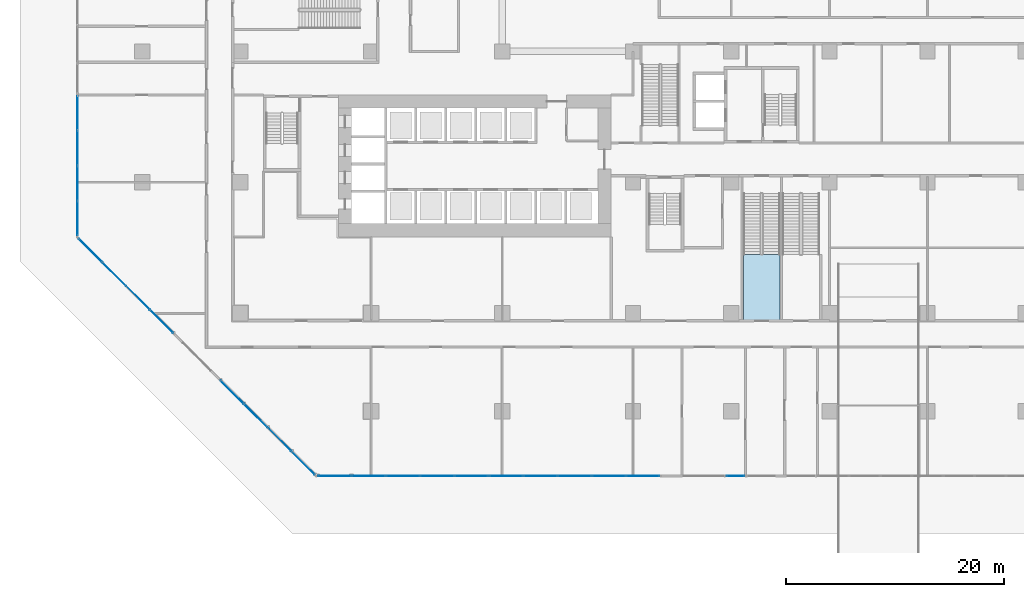
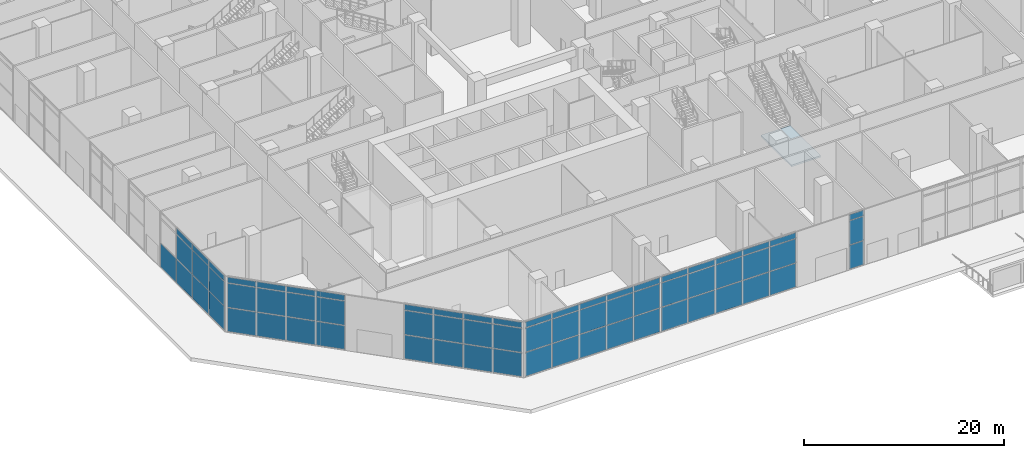
# One storey, part 12 of 34: 67 plates, 1 slab, 7 elements without a shape of their own.
"""IFC4 building model written with IfcOpenShell, lengths in metres."""

from ifc_helpers import new_model, si_unit, direction, frame, origin, origin_2d, place, context, subcontext, project, spatial, polyline, rectangle, outline, extrude, material, layer, layer_set, type_object, element, aggregate, save


model = new_model("IFC4")

# Units and contexts
model_context = context("Model", 3, precision=1e-05, world=origin(), true_north=direction((0.0, 1.0)))
body_context = subcontext(model_context, "Body", "Model", "MODEL_VIEW")
ifc_project = project(units=[si_unit("LENGTHUNIT", "METRE"), si_unit("AREAUNIT", "SQUARE_METRE"), si_unit("VOLUMEUNIT", "CUBIC_METRE"), si_unit("PLANEANGLEUNIT", "RADIAN"), si_unit("MASSUNIT", "GRAM", prefix="KILO")], contexts=[model_context])

# Site, building, storey
site_placement = place(None, origin())
site = spatial("IfcSite", under=ifc_project, at=site_placement, CompositionType="ELEMENT")
building_placement = place(site_placement, origin())
building = spatial("IfcBuilding", under=site, at=building_placement, Name="Chenar Terraces", CompositionType="ELEMENT")
storey_placement = place(building_placement, origin())
storey = spatial("IfcBuildingStorey", under=building, at=storey_placement, Name="L00", CompositionType="ELEMENT", Elevation=0.0)

# Stair, slab
ifc_material_1 = material(Name="Reinforced concrete C40/50", Category="concrete")
stair_type = type_object("IfcStairType", Name="Core stair 1400 half-turn", PredefinedType="HALF_TURN_STAIR", material=ifc_material_1)
placement = place(storey_placement, origin())
stair = element("IfcStair", 1, at=placement, inside=storey, type_object=stair_type, Name="L00 Exit stair PS6", PredefinedType="HALF_TURN_STAIR")
ifc_material_2 = material(Name="Reinforced concrete C40/50", Category="concrete")
ifc_layer_1 = layer(ifc_material_2, 0.199951171875)
ifc_layer_set_1 = layer_set([ifc_layer_1], Name="Reinforced concrete C40/50")
slab_type = type_object("IfcSlabType", Name="Core stair landing 200", PredefinedType="LANDING", material=ifc_layer_set_1)
slab_placement = place(storey_placement, frame((0.0, 0.0, 3.39990234375)))
slab = element("IfcSlab", 2, at=slab_placement, type_object=slab_type, Name="PS6 landing 1", PredefinedType="LANDING", context=body_context, shape_type="SweptSolid", body=[
    extrude(outline(polyline([(46.110107421875, 5.385009765625), (46.110107421875, -0.699951171875), (49.489990234375, -0.699951171875), (49.489990234375, 5.385009765625), (46.110107421875, 5.385009765625)])), origin(), (0.0, 0.0, 1.0), 0.2001953125),
])
aggregate(stair, [slab])

# Curtain wall, plates
ifc_material_3 = material(Name="Aluminium framed glazing", Category="aluminium")
ifc_layer_2 = layer(ifc_material_3, 0.14990234375)
ifc_layer_set_2 = layer_set([ifc_layer_2], Name="Aluminium framed glazing")
curtain_wall_type = type_object("IfcCurtainWallType", Name="Lobby curtain wall", PredefinedType="NOTDEFINED", material=ifc_layer_set_2)
curtain_wall_1 = element("IfcCurtainWall", 3, at=placement, inside=storey, type_object=curtain_wall_type, Name="Lobby curtain wall", PredefinedType="NOTDEFINED")
ifc_material_4 = material(Name="Low emissivity laminated glass, solar control coating", Category="glass")
ifc_layer_3 = layer(ifc_material_4, 0.035888671875)
ifc_layer_set_3 = layer_set([ifc_layer_3], Name="Low emissivity laminated glass, solar control coating")
plate_type = type_object("IfcPlateType", Name="Lobby glazing panel 36", PredefinedType="CURTAIN_PANEL", material=ifc_layer_set_3)
plate_1_placement = place(storey_placement, frame((-14.925048828125, 18.351318359375, 0.080078125), z_axis=(0.0, 0.0, 1.0), x_axis=(0.0, -1.0, 0.0)))
plate_1 = element("IfcPlate", 4, at=plate_1_placement, type_object=plate_type, Name="CW6-04p60 panel 1.1", PredefinedType="CURTAIN_PANEL", context=body_context, shape_type="SweptSolid", body=[
    extrude(rectangle(XDim=3.1123046875, YDim=0.035888671875, at=origin_2d()), origin(), (0.0, 0.0, 1.0), 2.8798828125),
])
plate_2_placement = place(storey_placement, frame((-14.925048828125, 15.138916015625, 0.080078125), z_axis=(0.0, 0.0, 1.0), x_axis=(0.0, -1.0, 0.0)))
plate_2 = element("IfcPlate", 5, at=plate_2_placement, type_object=plate_type, Name="CW6-04p60 panel 2.1", PredefinedType="CURTAIN_PANEL", context=body_context, shape_type="SweptSolid", body=[
    extrude(rectangle(XDim=3.15234375, YDim=0.035888671875, at=origin_2d()), origin(), (0.0, 0.0, 1.0), 2.8798828125),
])
plate_3_placement = place(storey_placement, frame((-14.925048828125, 15.138916015625, 3.0400390625), z_axis=(0.0, 0.0, 1.0), x_axis=(0.0, -1.0, 0.0)))
plate_3 = element("IfcPlate", 6, at=plate_3_placement, type_object=plate_type, Name="CW6-04p60 panel 2.2", PredefinedType="CURTAIN_PANEL", context=body_context, shape_type="SweptSolid", body=[
    extrude(rectangle(XDim=3.15234375, YDim=0.035888671875, at=origin_2d()), origin(), (0.0, 0.0, 1.0), 2.919921875),
])
plate_4_placement = place(storey_placement, frame((-14.925048828125, 15.138916015625, 6.0400390625), z_axis=(0.0, 0.0, 1.0), x_axis=(0.0, -1.0, 0.0)))
plate_4 = element("IfcPlate", 7, at=plate_4_placement, type_object=plate_type, Name="CW6-04p60 panel 2.3", PredefinedType="CURTAIN_PANEL", context=body_context, shape_type="SweptSolid", body=[
    extrude(rectangle(XDim=3.15234375, YDim=0.035888671875, at=origin_2d()), origin(), (0.0, 0.0, 1.0), 0.679931640625),
])
plate_5_placement = place(storey_placement, frame((-14.925048828125, 11.90673828125, 0.080078125), z_axis=(0.0, 0.0, 1.0), x_axis=(0.0, -1.0, 0.0)))
plate_5 = element("IfcPlate", 8, at=plate_5_placement, type_object=plate_type, Name="CW6-04p60 panel 3.1", PredefinedType="CURTAIN_PANEL", context=body_context, shape_type="SweptSolid", body=[
    extrude(rectangle(XDim=3.15234375, YDim=0.035888671875, at=origin_2d()), origin(), (0.0, 0.0, 1.0), 2.8798828125),
])
plate_6_placement = place(storey_placement, frame((-14.925048828125, 11.90673828125, 3.0400390625), z_axis=(0.0, 0.0, 1.0), x_axis=(0.0, -1.0, 0.0)))
plate_6 = element("IfcPlate", 9, at=plate_6_placement, type_object=plate_type, Name="CW6-04p60 panel 3.2", PredefinedType="CURTAIN_PANEL", context=body_context, shape_type="SweptSolid", body=[
    extrude(rectangle(XDim=3.15234375, YDim=0.035888671875, at=origin_2d()), origin(), (0.0, 0.0, 1.0), 2.919921875),
])
plate_7_placement = place(storey_placement, frame((-14.925048828125, 11.90673828125, 6.0400390625), z_axis=(0.0, 0.0, 1.0), x_axis=(0.0, -1.0, 0.0)))
plate_7 = element("IfcPlate", 10, at=plate_7_placement, type_object=plate_type, Name="CW6-04p60 panel 3.3", PredefinedType="CURTAIN_PANEL", context=body_context, shape_type="SweptSolid", body=[
    extrude(rectangle(XDim=3.15234375, YDim=0.035888671875, at=origin_2d()), origin(), (0.0, 0.0, 1.0), 0.679931640625),
])
plate_8_placement = place(storey_placement, frame((-14.925048828125, 8.6943359375, 0.080078125), z_axis=(0.0, 0.0, 1.0), x_axis=(0.0, -1.0, 0.0)))
plate_8 = element("IfcPlate", 11, at=plate_8_placement, type_object=plate_type, Name="CW6-04p60 panel 4.1", PredefinedType="CURTAIN_PANEL", context=body_context, shape_type="SweptSolid", body=[
    extrude(rectangle(XDim=3.1123046875, YDim=0.035888671875, at=origin_2d()), origin(), (0.0, 0.0, 1.0), 2.8798828125),
])
plate_9_placement = place(storey_placement, frame((-14.925048828125, 8.6943359375, 3.0400390625), z_axis=(0.0, 0.0, 1.0), x_axis=(0.0, -1.0, 0.0)))
plate_9 = element("IfcPlate", 12, at=plate_9_placement, type_object=plate_type, Name="CW6-04p60 panel 4.2", PredefinedType="CURTAIN_PANEL", context=body_context, shape_type="SweptSolid", body=[
    extrude(rectangle(XDim=3.1123046875, YDim=0.035888671875, at=origin_2d()), origin(), (0.0, 0.0, 1.0), 2.919921875),
])
plate_10_placement = place(storey_placement, frame((-14.925048828125, 8.6943359375, 6.0400390625), z_axis=(0.0, 0.0, 1.0), x_axis=(0.0, -1.0, 0.0)))
plate_10 = element("IfcPlate", 13, at=plate_10_placement, type_object=plate_type, Name="CW6-04p60 panel 4.3", PredefinedType="CURTAIN_PANEL", context=body_context, shape_type="SweptSolid", body=[
    extrude(rectangle(XDim=3.1123046875, YDim=0.035888671875, at=origin_2d()), origin(), (0.0, 0.0, 1.0), 0.679931640625),
])
aggregate(curtain_wall_1, [plate_1, plate_2, plate_3, plate_4, plate_5, plate_6, plate_7, plate_8, plate_9, plate_10])

curtain_wall_2 = element("IfcCurtainWall", 14, at=placement, inside=storey, type_object=curtain_wall_type, Name="Lobby curtain wall", PredefinedType="NOTDEFINED")
plate_11_placement = place(storey_placement, frame((-13.737060546875, 5.751220703125, 0.080078125), z_axis=(0.0, 0.0, 1.0), x_axis=(0.707106781187, -0.707106781187, 0.0)))
plate_11 = element("IfcPlate", 15, at=plate_11_placement, type_object=plate_type, Name="CW6-05a0 panel 1.1", PredefinedType="CURTAIN_PANEL", context=body_context, shape_type="SweptSolid", body=[
    extrude(rectangle(XDim=2.962158203125, YDim=0.035888671875, at=origin_2d()), origin(), (0.0, 0.0, 1.0), 2.8798828125),
])
plate_12_placement = place(storey_placement, frame((-13.737060546875, 5.751220703125, 3.0400390625), z_axis=(0.0, 0.0, 1.0), x_axis=(0.707106781187, -0.707106781187, 0.0)))
plate_12 = element("IfcPlate", 16, at=plate_12_placement, type_object=plate_type, Name="CW6-05a0 panel 1.2", PredefinedType="CURTAIN_PANEL", context=body_context, shape_type="SweptSolid", body=[
    extrude(rectangle(XDim=2.962158203125, YDim=0.035888671875, at=origin_2d()), origin(), (0.0, 0.0, 1.0), 2.919921875),
])
plate_13_placement = place(storey_placement, frame((-13.737060546875, 5.751220703125, 6.0400390625), z_axis=(0.0, 0.0, 1.0), x_axis=(0.707106781187, -0.707106781187, 0.0)))
plate_13 = element("IfcPlate", 17, at=plate_13_placement, type_object=plate_type, Name="CW6-05a0 panel 1.3", PredefinedType="CURTAIN_PANEL", context=body_context, shape_type="SweptSolid", body=[
    extrude(rectangle(XDim=2.962158203125, YDim=0.035888671875, at=origin_2d()), origin(), (0.0, 0.0, 1.0), 0.679931640625),
])
plate_14_placement = place(storey_placement, frame((-11.57177734375, 3.5859375, 0.080078125), z_axis=(0.0, 0.0, 1.0), x_axis=(0.707106781187, -0.707106781187, 0.0)))
plate_14 = element("IfcPlate", 18, at=plate_14_placement, type_object=plate_type, Name="CW6-05a0 panel 2.1", PredefinedType="CURTAIN_PANEL", context=body_context, shape_type="SweptSolid", body=[
    extrude(rectangle(XDim=3.002197265625, YDim=0.035888671875, at=origin_2d()), origin(), (0.0, 0.0, 1.0), 2.8798828125),
])
plate_15_placement = place(storey_placement, frame((-11.57177734375, 3.5859375, 3.0400390625), z_axis=(0.0, 0.0, 1.0), x_axis=(0.707106781187, -0.707106781187, 0.0)))
plate_15 = element("IfcPlate", 19, at=plate_15_placement, type_object=plate_type, Name="CW6-05a0 panel 2.2", PredefinedType="CURTAIN_PANEL", context=body_context, shape_type="SweptSolid", body=[
    extrude(rectangle(XDim=3.002197265625, YDim=0.035888671875, at=origin_2d()), origin(), (0.0, 0.0, 1.0), 2.919921875),
])
plate_16_placement = place(storey_placement, frame((-11.57177734375, 3.5859375, 6.0400390625), z_axis=(0.0, 0.0, 1.0), x_axis=(0.707106781187, -0.707106781187, 0.0)))
plate_16 = element("IfcPlate", 20, at=plate_16_placement, type_object=plate_type, Name="CW6-05a0 panel 2.3", PredefinedType="CURTAIN_PANEL", context=body_context, shape_type="SweptSolid", body=[
    extrude(rectangle(XDim=3.002197265625, YDim=0.035888671875, at=origin_2d()), origin(), (0.0, 0.0, 1.0), 0.679931640625),
])
plate_17_placement = place(storey_placement, frame((-9.392333984375, 1.406494140625, 0.080078125), z_axis=(0.0, 0.0, 1.0), x_axis=(0.707106781187, -0.707106781187, 0.0)))
plate_17 = element("IfcPlate", 21, at=plate_17_placement, type_object=plate_type, Name="CW6-05a0 panel 3.1", PredefinedType="CURTAIN_PANEL", context=body_context, shape_type="SweptSolid", body=[
    extrude(rectangle(XDim=3.002197265625, YDim=0.035888671875, at=origin_2d()), origin(), (0.0, 0.0, 1.0), 2.8798828125),
])
plate_18_placement = place(storey_placement, frame((-9.392333984375, 1.406494140625, 3.0400390625), z_axis=(0.0, 0.0, 1.0), x_axis=(0.707106781187, -0.707106781187, 0.0)))
plate_18 = element("IfcPlate", 22, at=plate_18_placement, type_object=plate_type, Name="CW6-05a0 panel 3.2", PredefinedType="CURTAIN_PANEL", context=body_context, shape_type="SweptSolid", body=[
    extrude(rectangle(XDim=3.002197265625, YDim=0.035888671875, at=origin_2d()), origin(), (0.0, 0.0, 1.0), 2.919921875),
])
plate_19_placement = place(storey_placement, frame((-9.392333984375, 1.406494140625, 6.0400390625), z_axis=(0.0, 0.0, 1.0), x_axis=(0.707106781187, -0.707106781187, 0.0)))
plate_19 = element("IfcPlate", 23, at=plate_19_placement, type_object=plate_type, Name="CW6-05a0 panel 3.3", PredefinedType="CURTAIN_PANEL", context=body_context, shape_type="SweptSolid", body=[
    extrude(rectangle(XDim=3.002197265625, YDim=0.035888671875, at=origin_2d()), origin(), (0.0, 0.0, 1.0), 0.679931640625),
])
plate_20_placement = place(storey_placement, frame((-7.22705078125, -0.7587890625, 0.080078125), z_axis=(0.0, 0.0, 1.0), x_axis=(0.707106781187, -0.707106781187, 0.0)))
plate_20 = element("IfcPlate", 24, at=plate_20_placement, type_object=plate_type, Name="CW6-05a0 panel 4.1", PredefinedType="CURTAIN_PANEL", context=body_context, shape_type="SweptSolid", body=[
    extrude(rectangle(XDim=2.962158203125, YDim=0.035888671875, at=origin_2d()), origin(), (0.0, 0.0, 1.0), 2.8798828125),
])
plate_21_placement = place(storey_placement, frame((-7.22705078125, -0.7587890625, 3.0400390625), z_axis=(0.0, 0.0, 1.0), x_axis=(0.707106781187, -0.707106781187, 0.0)))
plate_21 = element("IfcPlate", 25, at=plate_21_placement, type_object=plate_type, Name="CW6-05a0 panel 4.2", PredefinedType="CURTAIN_PANEL", context=body_context, shape_type="SweptSolid", body=[
    extrude(rectangle(XDim=2.962158203125, YDim=0.035888671875, at=origin_2d()), origin(), (0.0, 0.0, 1.0), 2.919921875),
])
plate_22_placement = place(storey_placement, frame((-7.22705078125, -0.7587890625, 6.0400390625), z_axis=(0.0, 0.0, 1.0), x_axis=(0.707106781187, -0.707106781187, 0.0)))
plate_22 = element("IfcPlate", 26, at=plate_22_placement, type_object=plate_type, Name="CW6-05a0 panel 4.3", PredefinedType="CURTAIN_PANEL", context=body_context, shape_type="SweptSolid", body=[
    extrude(rectangle(XDim=2.962158203125, YDim=0.035888671875, at=origin_2d()), origin(), (0.0, 0.0, 1.0), 0.679931640625),
])
aggregate(curtain_wall_2, [plate_11, plate_12, plate_13, plate_14, plate_15, plate_16, plate_17, plate_18, plate_19, plate_20, plate_21, plate_22])

curtain_wall_3 = element("IfcCurtainWall", 27, at=placement, inside=storey, type_object=curtain_wall_type, Name="Lobby curtain wall", PredefinedType="NOTDEFINED")
plate_23_placement = place(storey_placement, frame((-0.7587890625, -7.22705078125, 0.080078125), z_axis=(0.0, 0.0, 1.0), x_axis=(0.707106781187, -0.707106781187, 0.0)))
plate_23 = element("IfcPlate", 28, at=plate_23_placement, type_object=plate_type, Name="CW6-05b0 panel 1.1", PredefinedType="CURTAIN_PANEL", context=body_context, shape_type="SweptSolid", body=[
    extrude(rectangle(XDim=2.962158203125, YDim=0.035888671875, at=origin_2d()), origin(), (0.0, 0.0, 1.0), 2.8798828125),
])
plate_24_placement = place(storey_placement, frame((-0.7587890625, -7.22705078125, 3.0400390625), z_axis=(0.0, 0.0, 1.0), x_axis=(0.707106781187, -0.707106781187, 0.0)))
plate_24 = element("IfcPlate", 29, at=plate_24_placement, type_object=plate_type, Name="CW6-05b0 panel 1.2", PredefinedType="CURTAIN_PANEL", context=body_context, shape_type="SweptSolid", body=[
    extrude(rectangle(XDim=2.962158203125, YDim=0.035888671875, at=origin_2d()), origin(), (0.0, 0.0, 1.0), 2.919921875),
])
plate_25_placement = place(storey_placement, frame((-0.7587890625, -7.22705078125, 6.0400390625), z_axis=(0.0, 0.0, 1.0), x_axis=(0.707106781187, -0.707106781187, 0.0)))
plate_25 = element("IfcPlate", 30, at=plate_25_placement, type_object=plate_type, Name="CW6-05b0 panel 1.3", PredefinedType="CURTAIN_PANEL", context=body_context, shape_type="SweptSolid", body=[
    extrude(rectangle(XDim=2.962158203125, YDim=0.035888671875, at=origin_2d()), origin(), (0.0, 0.0, 1.0), 0.679931640625),
])
plate_26_placement = place(storey_placement, frame((1.406494140625, -9.392333984375, 0.080078125), z_axis=(0.0, 0.0, 1.0), x_axis=(0.707106781187, -0.707106781187, 0.0)))
plate_26 = element("IfcPlate", 31, at=plate_26_placement, type_object=plate_type, Name="CW6-05b0 panel 2.1", PredefinedType="CURTAIN_PANEL", context=body_context, shape_type="SweptSolid", body=[
    extrude(rectangle(XDim=3.002197265625, YDim=0.035888671875, at=origin_2d()), origin(), (0.0, 0.0, 1.0), 2.8798828125),
])
plate_27_placement = place(storey_placement, frame((1.406494140625, -9.392333984375, 3.0400390625), z_axis=(0.0, 0.0, 1.0), x_axis=(0.707106781187, -0.707106781187, 0.0)))
plate_27 = element("IfcPlate", 32, at=plate_27_placement, type_object=plate_type, Name="CW6-05b0 panel 2.2", PredefinedType="CURTAIN_PANEL", context=body_context, shape_type="SweptSolid", body=[
    extrude(rectangle(XDim=3.002197265625, YDim=0.035888671875, at=origin_2d()), origin(), (0.0, 0.0, 1.0), 2.919921875),
])
plate_28_placement = place(storey_placement, frame((1.406494140625, -9.392333984375, 6.0400390625), z_axis=(0.0, 0.0, 1.0), x_axis=(0.707106781187, -0.707106781187, 0.0)))
plate_28 = element("IfcPlate", 33, at=plate_28_placement, type_object=plate_type, Name="CW6-05b0 panel 2.3", PredefinedType="CURTAIN_PANEL", context=body_context, shape_type="SweptSolid", body=[
    extrude(rectangle(XDim=3.002197265625, YDim=0.035888671875, at=origin_2d()), origin(), (0.0, 0.0, 1.0), 0.679931640625),
])
plate_29_placement = place(storey_placement, frame((3.5859375, -11.57177734375, 0.080078125), z_axis=(0.0, 0.0, 1.0), x_axis=(0.707106781187, -0.707106781187, 0.0)))
plate_29 = element("IfcPlate", 34, at=plate_29_placement, type_object=plate_type, Name="CW6-05b0 panel 3.1", PredefinedType="CURTAIN_PANEL", context=body_context, shape_type="SweptSolid", body=[
    extrude(rectangle(XDim=3.002197265625, YDim=0.035888671875, at=origin_2d()), origin(), (0.0, 0.0, 1.0), 2.8798828125),
])
plate_30_placement = place(storey_placement, frame((3.5859375, -11.57177734375, 3.0400390625), z_axis=(0.0, 0.0, 1.0), x_axis=(0.707106781187, -0.707106781187, 0.0)))
plate_30 = element("IfcPlate", 35, at=plate_30_placement, type_object=plate_type, Name="CW6-05b0 panel 3.2", PredefinedType="CURTAIN_PANEL", context=body_context, shape_type="SweptSolid", body=[
    extrude(rectangle(XDim=3.002197265625, YDim=0.035888671875, at=origin_2d()), origin(), (0.0, 0.0, 1.0), 2.919921875),
])
plate_31_placement = place(storey_placement, frame((3.5859375, -11.57177734375, 6.0400390625), z_axis=(0.0, 0.0, 1.0), x_axis=(0.707106781187, -0.707106781187, 0.0)))
plate_31 = element("IfcPlate", 36, at=plate_31_placement, type_object=plate_type, Name="CW6-05b0 panel 3.3", PredefinedType="CURTAIN_PANEL", context=body_context, shape_type="SweptSolid", body=[
    extrude(rectangle(XDim=3.002197265625, YDim=0.035888671875, at=origin_2d()), origin(), (0.0, 0.0, 1.0), 0.679931640625),
])
plate_32_placement = place(storey_placement, frame((5.751220703125, -13.737060546875, 0.080078125), z_axis=(0.0, 0.0, 1.0), x_axis=(0.707106781187, -0.707106781187, 0.0)))
plate_32 = element("IfcPlate", 37, at=plate_32_placement, type_object=plate_type, Name="CW6-05b0 panel 4.1", PredefinedType="CURTAIN_PANEL", context=body_context, shape_type="SweptSolid", body=[
    extrude(rectangle(XDim=2.962158203125, YDim=0.035888671875, at=origin_2d()), origin(), (0.0, 0.0, 1.0), 2.8798828125),
])
plate_33_placement = place(storey_placement, frame((5.751220703125, -13.737060546875, 3.0400390625), z_axis=(0.0, 0.0, 1.0), x_axis=(0.707106781187, -0.707106781187, 0.0)))
plate_33 = element("IfcPlate", 38, at=plate_33_placement, type_object=plate_type, Name="CW6-05b0 panel 4.2", PredefinedType="CURTAIN_PANEL", context=body_context, shape_type="SweptSolid", body=[
    extrude(rectangle(XDim=2.962158203125, YDim=0.035888671875, at=origin_2d()), origin(), (0.0, 0.0, 1.0), 2.919921875),
])
plate_34_placement = place(storey_placement, frame((5.751220703125, -13.737060546875, 6.0400390625), z_axis=(0.0, 0.0, 1.0), x_axis=(0.707106781187, -0.707106781187, 0.0)))
plate_34 = element("IfcPlate", 39, at=plate_34_placement, type_object=plate_type, Name="CW6-05b0 panel 4.3", PredefinedType="CURTAIN_PANEL", context=body_context, shape_type="SweptSolid", body=[
    extrude(rectangle(XDim=2.962158203125, YDim=0.035888671875, at=origin_2d()), origin(), (0.0, 0.0, 1.0), 0.679931640625),
])
aggregate(curtain_wall_3, [plate_23, plate_24, plate_25, plate_26, plate_27, plate_28, plate_29, plate_30, plate_31, plate_32, plate_33, plate_34])

curtain_wall_4 = element("IfcCurtainWall", 40, at=placement, inside=storey, type_object=curtain_wall_type, Name="Lobby curtain wall", PredefinedType="NOTDEFINED")
plate_35_placement = place(storey_placement, frame((8.6484375, -14.925048828125, 0.080078125), z_axis=(0.0, 0.0, 1.0), x_axis=(1.0, 0.0, 0.0)))
plate_35 = element("IfcPlate", 41, at=plate_35_placement, type_object=plate_type, Name="CW6-06p10 panel 1.1", PredefinedType="CURTAIN_PANEL", context=body_context, shape_type="SweptSolid", body=[
    extrude(rectangle(XDim=3.0205078125, YDim=0.035888671875, at=origin_2d()), origin(), (0.0, 0.0, 1.0), 2.8798828125),
])
plate_36_placement = place(storey_placement, frame((8.6484375, -14.925048828125, 3.0400390625), z_axis=(0.0, 0.0, 1.0), x_axis=(1.0, 0.0, 0.0)))
plate_36 = element("IfcPlate", 42, at=plate_36_placement, type_object=plate_type, Name="CW6-06p10 panel 1.2", PredefinedType="CURTAIN_PANEL", context=body_context, shape_type="SweptSolid", body=[
    extrude(rectangle(XDim=3.0205078125, YDim=0.035888671875, at=origin_2d()), origin(), (0.0, 0.0, 1.0), 2.919921875),
])
plate_37_placement = place(storey_placement, frame((8.6484375, -14.925048828125, 6.0400390625), z_axis=(0.0, 0.0, 1.0), x_axis=(1.0, 0.0, 0.0)))
plate_37 = element("IfcPlate", 43, at=plate_37_placement, type_object=plate_type, Name="CW6-06p10 panel 1.3", PredefinedType="CURTAIN_PANEL", context=body_context, shape_type="SweptSolid", body=[
    extrude(rectangle(XDim=3.0205078125, YDim=0.035888671875, at=origin_2d()), origin(), (0.0, 0.0, 1.0), 0.679931640625),
])
plate_38_placement = place(storey_placement, frame((11.768798828125, -14.925048828125, 0.080078125), z_axis=(0.0, 0.0, 1.0), x_axis=(1.0, 0.0, 0.0)))
plate_38 = element("IfcPlate", 44, at=plate_38_placement, type_object=plate_type, Name="CW6-06p10 panel 2.1", PredefinedType="CURTAIN_PANEL", context=body_context, shape_type="SweptSolid", body=[
    extrude(rectangle(XDim=3.060546875, YDim=0.035888671875, at=origin_2d()), origin(), (0.0, 0.0, 1.0), 2.8798828125),
])
plate_39_placement = place(storey_placement, frame((11.768798828125, -14.925048828125, 3.0400390625), z_axis=(0.0, 0.0, 1.0), x_axis=(1.0, 0.0, 0.0)))
plate_39 = element("IfcPlate", 45, at=plate_39_placement, type_object=plate_type, Name="CW6-06p10 panel 2.2", PredefinedType="CURTAIN_PANEL", context=body_context, shape_type="SweptSolid", body=[
    extrude(rectangle(XDim=3.060546875, YDim=0.035888671875, at=origin_2d()), origin(), (0.0, 0.0, 1.0), 2.919921875),
])
plate_40_placement = place(storey_placement, frame((11.768798828125, -14.925048828125, 6.0400390625), z_axis=(0.0, 0.0, 1.0), x_axis=(1.0, 0.0, 0.0)))
plate_40 = element("IfcPlate", 46, at=plate_40_placement, type_object=plate_type, Name="CW6-06p10 panel 2.3", PredefinedType="CURTAIN_PANEL", context=body_context, shape_type="SweptSolid", body=[
    extrude(rectangle(XDim=3.060546875, YDim=0.035888671875, at=origin_2d()), origin(), (0.0, 0.0, 1.0), 0.679931640625),
])
plate_41_placement = place(storey_placement, frame((14.9091796875, -14.925048828125, 0.080078125), z_axis=(0.0, 0.0, 1.0), x_axis=(1.0, 0.0, 0.0)))
plate_41 = element("IfcPlate", 47, at=plate_41_placement, type_object=plate_type, Name="CW6-06p10 panel 3.1", PredefinedType="CURTAIN_PANEL", context=body_context, shape_type="SweptSolid", body=[
    extrude(rectangle(XDim=3.060546875, YDim=0.035888671875, at=origin_2d()), origin(), (0.0, 0.0, 1.0), 2.8798828125),
])
plate_42_placement = place(storey_placement, frame((14.9091796875, -14.925048828125, 3.0400390625), z_axis=(0.0, 0.0, 1.0), x_axis=(1.0, 0.0, 0.0)))
plate_42 = element("IfcPlate", 48, at=plate_42_placement, type_object=plate_type, Name="CW6-06p10 panel 3.2", PredefinedType="CURTAIN_PANEL", context=body_context, shape_type="SweptSolid", body=[
    extrude(rectangle(XDim=3.060546875, YDim=0.035888671875, at=origin_2d()), origin(), (0.0, 0.0, 1.0), 2.919921875),
])
plate_43_placement = place(storey_placement, frame((14.9091796875, -14.925048828125, 6.0400390625), z_axis=(0.0, 0.0, 1.0), x_axis=(1.0, 0.0, 0.0)))
plate_43 = element("IfcPlate", 49, at=plate_43_placement, type_object=plate_type, Name="CW6-06p10 panel 3.3", PredefinedType="CURTAIN_PANEL", context=body_context, shape_type="SweptSolid", body=[
    extrude(rectangle(XDim=3.060546875, YDim=0.035888671875, at=origin_2d()), origin(), (0.0, 0.0, 1.0), 0.679931640625),
])
plate_44_placement = place(storey_placement, frame((18.049560546875, -14.925048828125, 0.080078125), z_axis=(0.0, 0.0, 1.0), x_axis=(1.0, 0.0, 0.0)))
plate_44 = element("IfcPlate", 50, at=plate_44_placement, type_object=plate_type, Name="CW6-06p10 panel 4.1", PredefinedType="CURTAIN_PANEL", context=body_context, shape_type="SweptSolid", body=[
    extrude(rectangle(XDim=3.060546875, YDim=0.035888671875, at=origin_2d()), origin(), (0.0, 0.0, 1.0), 2.8798828125),
])
plate_45_placement = place(storey_placement, frame((18.049560546875, -14.925048828125, 3.0400390625), z_axis=(0.0, 0.0, 1.0), x_axis=(1.0, 0.0, 0.0)))
plate_45 = element("IfcPlate", 51, at=plate_45_placement, type_object=plate_type, Name="CW6-06p10 panel 4.2", PredefinedType="CURTAIN_PANEL", context=body_context, shape_type="SweptSolid", body=[
    extrude(rectangle(XDim=3.060546875, YDim=0.035888671875, at=origin_2d()), origin(), (0.0, 0.0, 1.0), 2.919921875),
])
plate_46_placement = place(storey_placement, frame((18.049560546875, -14.925048828125, 6.0400390625), z_axis=(0.0, 0.0, 1.0), x_axis=(1.0, 0.0, 0.0)))
plate_46 = element("IfcPlate", 52, at=plate_46_placement, type_object=plate_type, Name="CW6-06p10 panel 4.3", PredefinedType="CURTAIN_PANEL", context=body_context, shape_type="SweptSolid", body=[
    extrude(rectangle(XDim=3.060546875, YDim=0.035888671875, at=origin_2d()), origin(), (0.0, 0.0, 1.0), 0.679931640625),
])
plate_47_placement = place(storey_placement, frame((21.170166015625, -14.925048828125, 0.080078125), z_axis=(0.0, 0.0, 1.0), x_axis=(1.0, 0.0, 0.0)))
plate_47 = element("IfcPlate", 53, at=plate_47_placement, type_object=plate_type, Name="CW6-06p10 panel 5.1", PredefinedType="CURTAIN_PANEL", context=body_context, shape_type="SweptSolid", body=[
    extrude(rectangle(XDim=3.0205078125, YDim=0.035888671875, at=origin_2d()), origin(), (0.0, 0.0, 1.0), 2.8798828125),
])
plate_48_placement = place(storey_placement, frame((21.170166015625, -14.925048828125, 3.0400390625), z_axis=(0.0, 0.0, 1.0), x_axis=(1.0, 0.0, 0.0)))
plate_48 = element("IfcPlate", 54, at=plate_48_placement, type_object=plate_type, Name="CW6-06p10 panel 5.2", PredefinedType="CURTAIN_PANEL", context=body_context, shape_type="SweptSolid", body=[
    extrude(rectangle(XDim=3.0205078125, YDim=0.035888671875, at=origin_2d()), origin(), (0.0, 0.0, 1.0), 2.919921875),
])
plate_49_placement = place(storey_placement, frame((21.170166015625, -14.925048828125, 6.0400390625), z_axis=(0.0, 0.0, 1.0), x_axis=(1.0, 0.0, 0.0)))
plate_49 = element("IfcPlate", 55, at=plate_49_placement, type_object=plate_type, Name="CW6-06p10 panel 5.3", PredefinedType="CURTAIN_PANEL", context=body_context, shape_type="SweptSolid", body=[
    extrude(rectangle(XDim=3.0205078125, YDim=0.035888671875, at=origin_2d()), origin(), (0.0, 0.0, 1.0), 0.679931640625),
])
aggregate(curtain_wall_4, [plate_35, plate_36, plate_37, plate_38, plate_39, plate_40, plate_41, plate_42, plate_43, plate_44, plate_45, plate_46, plate_47, plate_48, plate_49])

curtain_wall_5 = element("IfcCurtainWall", 56, at=placement, inside=storey, type_object=curtain_wall_type, Name="Lobby curtain wall", PredefinedType="NOTDEFINED")
plate_50_placement = place(storey_placement, frame((24.37548828125, -14.925048828125, 0.080078125), z_axis=(0.0, 0.0, 1.0), x_axis=(1.0, 0.0, 0.0)))
plate_50 = element("IfcPlate", 57, at=plate_50_placement, type_object=plate_type, Name="CW6-06p11 panel 1.1", PredefinedType="CURTAIN_PANEL", context=body_context, shape_type="SweptSolid", body=[
    extrude(rectangle(XDim=3.0205078125, YDim=0.035888671875, at=origin_2d()), origin(), (0.0, 0.0, 1.0), 2.8798828125),
])
plate_51_placement = place(storey_placement, frame((24.37548828125, -14.925048828125, 3.0400390625), z_axis=(0.0, 0.0, 1.0), x_axis=(1.0, 0.0, 0.0)))
plate_51 = element("IfcPlate", 58, at=plate_51_placement, type_object=plate_type, Name="CW6-06p11 panel 1.2", PredefinedType="CURTAIN_PANEL", context=body_context, shape_type="SweptSolid", body=[
    extrude(rectangle(XDim=3.0205078125, YDim=0.035888671875, at=origin_2d()), origin(), (0.0, 0.0, 1.0), 2.919921875),
])
plate_52_placement = place(storey_placement, frame((24.37548828125, -14.925048828125, 6.0400390625), z_axis=(0.0, 0.0, 1.0), x_axis=(1.0, 0.0, 0.0)))
plate_52 = element("IfcPlate", 59, at=plate_52_placement, type_object=plate_type, Name="CW6-06p11 panel 1.3", PredefinedType="CURTAIN_PANEL", context=body_context, shape_type="SweptSolid", body=[
    extrude(rectangle(XDim=3.0205078125, YDim=0.035888671875, at=origin_2d()), origin(), (0.0, 0.0, 1.0), 0.679931640625),
])
plate_53_placement = place(storey_placement, frame((27.495849609375, -14.925048828125, 0.080078125), z_axis=(0.0, 0.0, 1.0), x_axis=(1.0, 0.0, 0.0)))
plate_53 = element("IfcPlate", 60, at=plate_53_placement, type_object=plate_type, Name="CW6-06p11 panel 2.1", PredefinedType="CURTAIN_PANEL", context=body_context, shape_type="SweptSolid", body=[
    extrude(rectangle(XDim=3.060546875, YDim=0.035888671875, at=origin_2d()), origin(), (0.0, 0.0, 1.0), 2.8798828125),
])
plate_54_placement = place(storey_placement, frame((27.495849609375, -14.925048828125, 3.0400390625), z_axis=(0.0, 0.0, 1.0), x_axis=(1.0, 0.0, 0.0)))
plate_54 = element("IfcPlate", 61, at=plate_54_placement, type_object=plate_type, Name="CW6-06p11 panel 2.2", PredefinedType="CURTAIN_PANEL", context=body_context, shape_type="SweptSolid", body=[
    extrude(rectangle(XDim=3.060546875, YDim=0.035888671875, at=origin_2d()), origin(), (0.0, 0.0, 1.0), 2.919921875),
])
plate_55_placement = place(storey_placement, frame((27.495849609375, -14.925048828125, 6.0400390625), z_axis=(0.0, 0.0, 1.0), x_axis=(1.0, 0.0, 0.0)))
plate_55 = element("IfcPlate", 62, at=plate_55_placement, type_object=plate_type, Name="CW6-06p11 panel 2.3", PredefinedType="CURTAIN_PANEL", context=body_context, shape_type="SweptSolid", body=[
    extrude(rectangle(XDim=3.060546875, YDim=0.035888671875, at=origin_2d()), origin(), (0.0, 0.0, 1.0), 0.679931640625),
])
plate_56_placement = place(storey_placement, frame((30.636474609375, -14.925048828125, 0.080078125), z_axis=(0.0, 0.0, 1.0), x_axis=(1.0, 0.0, 0.0)))
plate_56 = element("IfcPlate", 63, at=plate_56_placement, type_object=plate_type, Name="CW6-06p11 panel 3.1", PredefinedType="CURTAIN_PANEL", context=body_context, shape_type="SweptSolid", body=[
    extrude(rectangle(XDim=3.060546875, YDim=0.035888671875, at=origin_2d()), origin(), (0.0, 0.0, 1.0), 2.8798828125),
])
plate_57_placement = place(storey_placement, frame((30.636474609375, -14.925048828125, 3.0400390625), z_axis=(0.0, 0.0, 1.0), x_axis=(1.0, 0.0, 0.0)))
plate_57 = element("IfcPlate", 64, at=plate_57_placement, type_object=plate_type, Name="CW6-06p11 panel 3.2", PredefinedType="CURTAIN_PANEL", context=body_context, shape_type="SweptSolid", body=[
    extrude(rectangle(XDim=3.060546875, YDim=0.035888671875, at=origin_2d()), origin(), (0.0, 0.0, 1.0), 2.919921875),
])
plate_58_placement = place(storey_placement, frame((30.636474609375, -14.925048828125, 6.0400390625), z_axis=(0.0, 0.0, 1.0), x_axis=(1.0, 0.0, 0.0)))
plate_58 = element("IfcPlate", 65, at=plate_58_placement, type_object=plate_type, Name="CW6-06p11 panel 3.3", PredefinedType="CURTAIN_PANEL", context=body_context, shape_type="SweptSolid", body=[
    extrude(rectangle(XDim=3.060546875, YDim=0.035888671875, at=origin_2d()), origin(), (0.0, 0.0, 1.0), 0.679931640625),
])
plate_59_placement = place(storey_placement, frame((33.77685546875, -14.925048828125, 0.080078125), z_axis=(0.0, 0.0, 1.0), x_axis=(1.0, 0.0, 0.0)))
plate_59 = element("IfcPlate", 66, at=plate_59_placement, type_object=plate_type, Name="CW6-06p11 panel 4.1", PredefinedType="CURTAIN_PANEL", context=body_context, shape_type="SweptSolid", body=[
    extrude(rectangle(XDim=3.060546875, YDim=0.035888671875, at=origin_2d()), origin(), (0.0, 0.0, 1.0), 2.8798828125),
])
plate_60_placement = place(storey_placement, frame((33.77685546875, -14.925048828125, 3.0400390625), z_axis=(0.0, 0.0, 1.0), x_axis=(1.0, 0.0, 0.0)))
plate_60 = element("IfcPlate", 67, at=plate_60_placement, type_object=plate_type, Name="CW6-06p11 panel 4.2", PredefinedType="CURTAIN_PANEL", context=body_context, shape_type="SweptSolid", body=[
    extrude(rectangle(XDim=3.060546875, YDim=0.035888671875, at=origin_2d()), origin(), (0.0, 0.0, 1.0), 2.919921875),
])
plate_61_placement = place(storey_placement, frame((33.77685546875, -14.925048828125, 6.0400390625), z_axis=(0.0, 0.0, 1.0), x_axis=(1.0, 0.0, 0.0)))
plate_61 = element("IfcPlate", 68, at=plate_61_placement, type_object=plate_type, Name="CW6-06p11 panel 4.3", PredefinedType="CURTAIN_PANEL", context=body_context, shape_type="SweptSolid", body=[
    extrude(rectangle(XDim=3.060546875, YDim=0.035888671875, at=origin_2d()), origin(), (0.0, 0.0, 1.0), 0.679931640625),
])
plate_62_placement = place(storey_placement, frame((36.897216796875, -14.925048828125, 0.080078125), z_axis=(0.0, 0.0, 1.0), x_axis=(1.0, 0.0, 0.0)))
plate_62 = element("IfcPlate", 69, at=plate_62_placement, type_object=plate_type, Name="CW6-06p11 panel 5.1", PredefinedType="CURTAIN_PANEL", context=body_context, shape_type="SweptSolid", body=[
    extrude(rectangle(XDim=3.0205078125, YDim=0.035888671875, at=origin_2d()), origin(), (0.0, 0.0, 1.0), 2.8798828125),
])
plate_63_placement = place(storey_placement, frame((36.897216796875, -14.925048828125, 3.0400390625), z_axis=(0.0, 0.0, 1.0), x_axis=(1.0, 0.0, 0.0)))
plate_63 = element("IfcPlate", 70, at=plate_63_placement, type_object=plate_type, Name="CW6-06p11 panel 5.2", PredefinedType="CURTAIN_PANEL", context=body_context, shape_type="SweptSolid", body=[
    extrude(rectangle(XDim=3.0205078125, YDim=0.035888671875, at=origin_2d()), origin(), (0.0, 0.0, 1.0), 2.919921875),
])
plate_64_placement = place(storey_placement, frame((36.897216796875, -14.925048828125, 6.0400390625), z_axis=(0.0, 0.0, 1.0), x_axis=(1.0, 0.0, 0.0)))
plate_64 = element("IfcPlate", 71, at=plate_64_placement, type_object=plate_type, Name="CW6-06p11 panel 5.3", PredefinedType="CURTAIN_PANEL", context=body_context, shape_type="SweptSolid", body=[
    extrude(rectangle(XDim=3.0205078125, YDim=0.035888671875, at=origin_2d()), origin(), (0.0, 0.0, 1.0), 0.679931640625),
])
aggregate(curtain_wall_5, [plate_50, plate_51, plate_52, plate_53, plate_54, plate_55, plate_56, plate_57, plate_58, plate_59, plate_60, plate_61, plate_62, plate_63, plate_64])

curtain_wall_6 = element("IfcCurtainWall", 72, at=placement, inside=storey, type_object=curtain_wall_type, Name="Lobby curtain wall", PredefinedType="NOTDEFINED")
plate_65_placement = place(storey_placement, frame((45.39990234375, -14.925048828125, 0.080078125), z_axis=(0.0, 0.0, 1.0), x_axis=(1.0, 0.0, 0.0)))
plate_65 = element("IfcPlate", 73, at=plate_65_placement, type_object=plate_type, Name="CW6-06p20 panel 1.1", PredefinedType="CURTAIN_PANEL", context=body_context, shape_type="SweptSolid", body=[
    extrude(rectangle(XDim=1.614990234375, YDim=0.035888671875, at=origin_2d()), origin(), (0.0, 0.0, 1.0), 2.8798828125),
])
plate_66_placement = place(storey_placement, frame((45.39990234375, -14.925048828125, 3.0400390625), z_axis=(0.0, 0.0, 1.0), x_axis=(1.0, 0.0, 0.0)))
plate_66 = element("IfcPlate", 74, at=plate_66_placement, type_object=plate_type, Name="CW6-06p20 panel 1.2", PredefinedType="CURTAIN_PANEL", context=body_context, shape_type="SweptSolid", body=[
    extrude(rectangle(XDim=1.614990234375, YDim=0.035888671875, at=origin_2d()), origin(), (0.0, 0.0, 1.0), 2.919921875),
])
plate_67_placement = place(storey_placement, frame((45.39990234375, -14.925048828125, 6.0400390625), z_axis=(0.0, 0.0, 1.0), x_axis=(1.0, 0.0, 0.0)))
plate_67 = element("IfcPlate", 75, at=plate_67_placement, type_object=plate_type, Name="CW6-06p20 panel 1.3", PredefinedType="CURTAIN_PANEL", context=body_context, shape_type="SweptSolid", body=[
    extrude(rectangle(XDim=1.614990234375, YDim=0.035888671875, at=origin_2d()), origin(), (0.0, 0.0, 1.0), 0.679931640625),
])
aggregate(curtain_wall_6, [plate_65, plate_66, plate_67])

save(model, "model.ifc")
